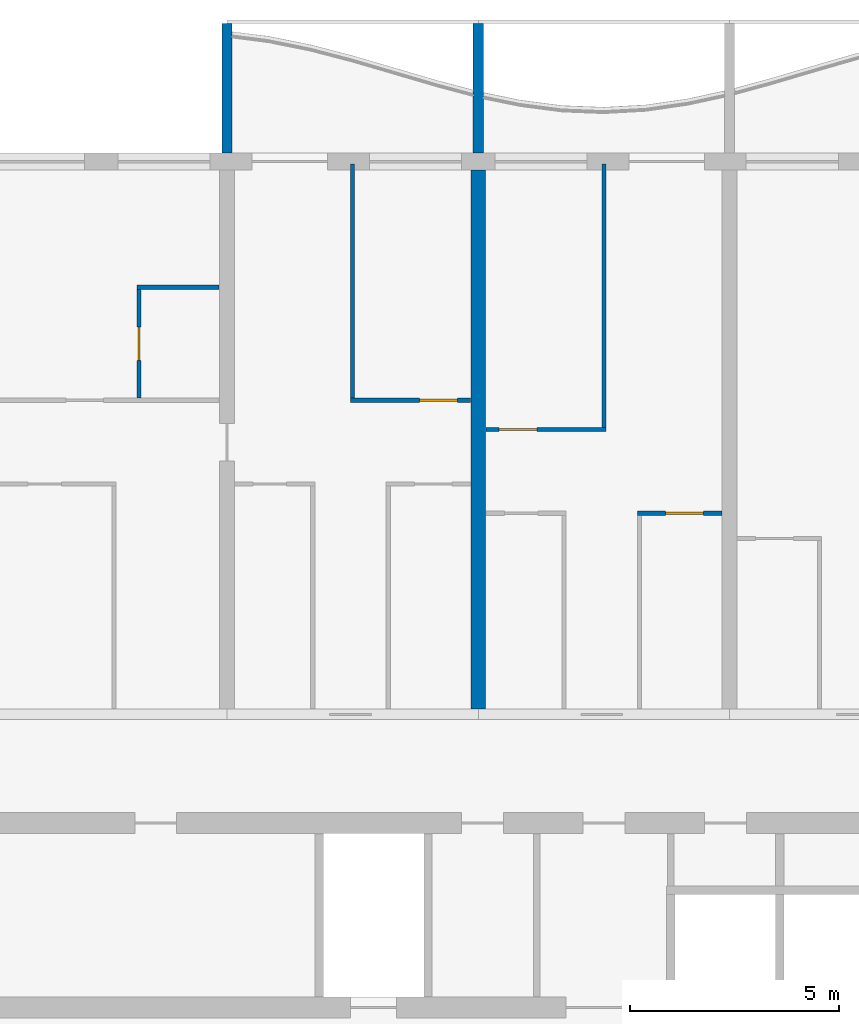
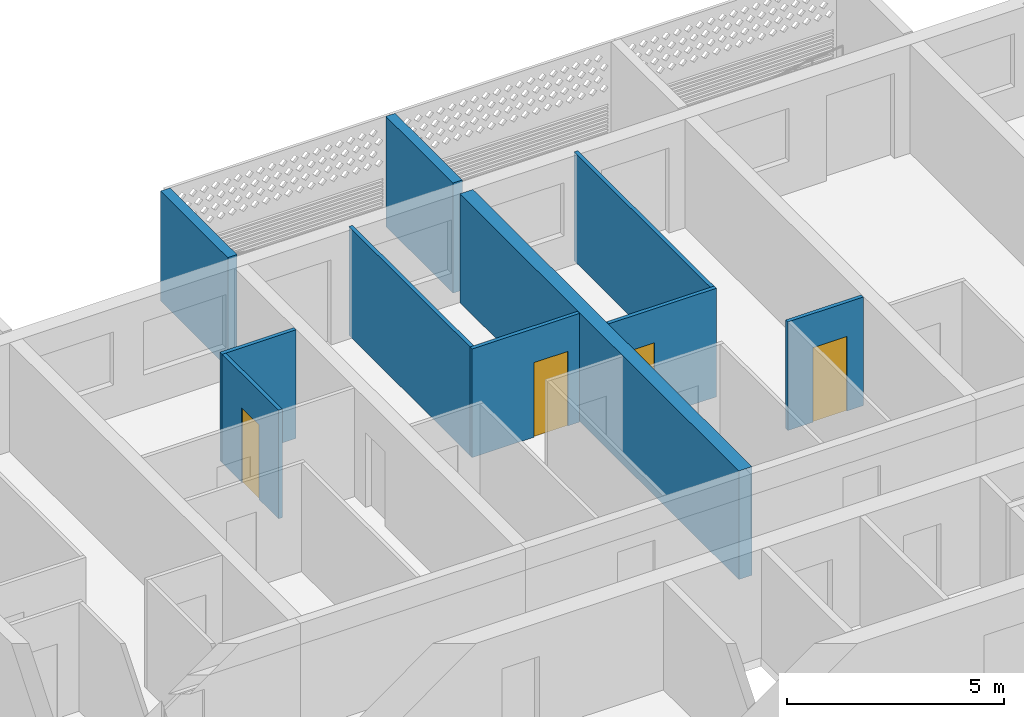
# One storey, part 11 of 27: 10 walls, 4 doors, 4 openings.
"""IFC4 building model written with IfcOpenShell, lengths in metres."""

from ifc_helpers import new_model, si_unit, direction, frame, frame_2d, origin, place, context, subcontext, project, spatial, polyline, rectangle, outline, extrude, source, transform, mapped, material, layer, layer_set, type_object, element, fill, save


model = new_model("IFC4")

# Units and contexts
model_context = context("Model", 3, precision=1e-05, world=origin(), true_north=direction((0.0, 1.0)))
body_context = subcontext(model_context, "Body", "Model", "MODEL_VIEW")
ifc_project = project(units=[si_unit("LENGTHUNIT", "METRE"), si_unit("AREAUNIT", "SQUARE_METRE"), si_unit("VOLUMEUNIT", "CUBIC_METRE"), si_unit("PLANEANGLEUNIT", "RADIAN"), si_unit("MASSUNIT", "GRAM", prefix="KILO")], contexts=[model_context])

# Site, building, storey
site_placement = place(None, origin())
site = spatial("IfcSite", under=ifc_project, at=site_placement, CompositionType="ELEMENT")
building_placement = place(site_placement, origin())
building = spatial("IfcBuilding", under=site, at=building_placement, Name="Poui Terraces", CompositionType="ELEMENT")
storey_placement = place(building_placement, frame((0.0, 0.0, 76.199951171875)))
storey = spatial("IfcBuildingStorey", under=building, at=storey_placement, Name="L20", CompositionType="ELEMENT", Elevation=76.199951171875)

# Wall
ifc_material_1 = material(Name="Concrete 65 MPa", Category="concrete")
ifc_layer_1 = layer(ifc_material_1, 0.35009765625)
ifc_layer_set_1 = layer_set([ifc_layer_1], Name="Concrete 65 MPa")
wall_type_1 = type_object("IfcWallType", Name="CROSS WALL 350 65MPa", PredefinedType="SHEAR", material=ifc_layer_set_1)
wall_1_placement = place(storey_placement, frame((48.0, 30.52490234375, 0.0), z_axis=(0.0, 0.0, 1.0), x_axis=(0.0, 1.0, 0.0)))
element("IfcWall", 1, at=wall_1_placement, inside=storey, type_object=wall_type_1, Name="CROSS WALL LINE 9 NORTH", PredefinedType="SHEAR", context=body_context, shape_type="SweptSolid", body=[
    extrude(rectangle(XDim=12.875, YDim=0.35009765625, at=frame_2d((6.4375, 0.0))), origin(), (0.0, 0.0, 1.0), 3.06005859375),
])

# Wall, opening, door
ifc_material_2 = material(Name="Plasterboard partition")
ifc_layer_2 = layer(ifc_material_2, 0.10009765625)
ifc_layer_set_2 = layer_set([ifc_layer_2], Name="Plasterboard partition")
wall_type_2 = type_object("IfcWallType", Name="FLAT PARTITION 100", PredefinedType="PARTITIONING", material=ifc_layer_set_2)
wall_2_placement = place(storey_placement, frame((51.800048828125, 35.199951171875, 0.0), z_axis=(0.0, 0.0, 1.0), x_axis=(1.0, 0.0, 0.0)))
wall_2 = element("IfcWall", 2, at=wall_2_placement, inside=storey, type_object=wall_type_2, Name="FLAT PARTITION 100", PredefinedType="PARTITIONING", context=body_context, shape_type="SweptSolid", body=[
    extrude(rectangle(XDim=2.014892578125, YDim=0.10009765625, at=frame_2d((1.00732421875, 0.0))), origin(), (0.0, 0.0, 1.0), 3.06005859375),
])
opening_1_placement = place(wall_2_placement, frame((0.675048828125, 0.0, 0.0)))
opening_1 = element("IfcOpeningElement", 3, at=opening_1_placement, cuts=wall_2, Name="Opening D90", PredefinedType="OPENING", context=body_context, shape_type="SweptSolid", body=[
    extrude(rectangle(XDim=0.89990234375, YDim=2.10009765625, at=frame_2d((0.449951171875, 1.050048828125))), frame((0.0, 0.06005859375, 0.0), z_axis=(0.0, -1.0, 0.0), x_axis=(1.0, 0.0, 0.0)), (0.0, 0.0, 1.0), 0.1201171875),
])
ifc_material_3 = material(Name="Solid core timber door", Category="wood")
door_type_1 = type_object("IfcDoorType", Name="INTERNAL DOOR 900 X 2100", OperationType="NOTDEFINED", PredefinedType="DOOR", material=ifc_material_3)
door_1_placement = place(opening_1_placement, frame((0.89990234375, 0.0, 0.0), z_axis=(0.0, 0.0, 1.0), x_axis=(-1.0, 0.0, 0.0)))
door_1 = element("IfcDoor", 4, at=door_1_placement, inside=storey, type_object=door_type_1, Name="INTERNAL DOOR 060", OperationType="SINGLE_SWING_LEFT", OverallHeight=2.10009765625, OverallWidth=0.89990234375, PredefinedType="DOOR", context=body_context, shape_type="SweptSolid", body=[
    extrude(rectangle(XDim=0.89990234375, YDim=2.10009765625, at=frame_2d((0.449951171875, 1.050048828125))), frame((0.0, 0.02490234375, 0.0), z_axis=(0.0, -1.0, 0.0), x_axis=(1.0, 0.0, 0.0)), (0.0, 0.0, 1.0), 0.050048828125),
])
fill(opening_1, door_1)

wall_3_placement = place(storey_placement, frame((48.18505859375, 37.199951171875, 0.0), z_axis=(0.0, 0.0, 1.0), x_axis=(1.0, 0.0, 0.0)))
wall_3 = element("IfcWall", 5, at=wall_3_placement, inside=storey, type_object=wall_type_2, Name="FLAT PARTITION 100", PredefinedType="PARTITIONING", context=body_context, shape_type="SweptSolid", body=[
    extrude(rectangle(XDim=2.864990234375, YDim=0.10009765625, at=frame_2d((1.4326171875, 0.0))), origin(), (0.0, 0.0, 1.0), 3.06005859375),
])
opening_2_placement = place(wall_3_placement, frame((0.31494140625, 0.0, 0.0)))
opening_2 = element("IfcOpeningElement", 6, at=opening_2_placement, cuts=wall_3, Name="Opening D90", PredefinedType="OPENING", context=body_context, shape_type="SweptSolid", body=[
    extrude(rectangle(XDim=0.89990234375, YDim=2.10009765625, at=frame_2d((0.449951171875, 1.050048828125))), frame((0.0, 0.06005859375, 0.0), z_axis=(0.0, -1.0, 0.0), x_axis=(1.0, 0.0, 0.0)), (0.0, 0.0, 1.0), 0.1201171875),
])
door_2_placement = place(opening_2_placement, frame((0.89990234375, 0.0, 0.0), z_axis=(0.0, 0.0, 1.0), x_axis=(-1.0, 0.0, 0.0)))
door_2 = element("IfcDoor", 7, at=door_2_placement, inside=storey, type_object=door_type_1, Name="INTERNAL DOOR 057", OperationType="SINGLE_SWING_LEFT", OverallHeight=2.10009765625, OverallWidth=0.89990234375, PredefinedType="DOOR", context=body_context, shape_type="SweptSolid", body=[
    extrude(rectangle(XDim=0.89990234375, YDim=2.10009765625, at=frame_2d((0.449951171875, 1.050048828125))), frame((0.0, 0.02490234375, 0.0), z_axis=(0.0, -1.0, 0.0), x_axis=(1.0, 0.0, 0.0)), (0.0, 0.0, 1.0), 0.050048828125),
])
fill(opening_2, door_2)

wall_4_placement = place(storey_placement, frame((44.949951171875, 37.89990234375, 0.0), z_axis=(0.0, 0.0, 1.0), x_axis=(1.0, 0.0, 0.0)))
wall_4 = element("IfcWall", 8, at=wall_4_placement, inside=storey, type_object=wall_type_2, Name="FLAT PARTITION 100", PredefinedType="PARTITIONING", context=body_context, shape_type="SweptSolid", body=[
    extrude(rectangle(XDim=2.864990234375, YDim=0.10009765625, at=frame_2d((1.4326171875, 0.0))), origin(), (0.0, 0.0, 1.0), 3.06005859375),
])
opening_3_placement = place(wall_4_placement, frame((1.64990234375, 0.0, 0.0)))
opening_3 = element("IfcOpeningElement", 9, at=opening_3_placement, cuts=wall_4, Name="Opening D90", PredefinedType="OPENING", context=body_context, shape_type="SweptSolid", body=[
    extrude(rectangle(XDim=0.89990234375, YDim=2.10009765625, at=frame_2d((0.449951171875, 1.050048828125))), frame((0.0, 0.06005859375, 0.0), z_axis=(0.0, -1.0, 0.0), x_axis=(1.0, 0.0, 0.0)), (0.0, 0.0, 1.0), 0.1201171875),
])
door_3_placement = place(opening_3_placement, origin())
door_3 = element("IfcDoor", 10, at=door_3_placement, inside=storey, type_object=door_type_1, Name="INTERNAL DOOR 055", OperationType="SINGLE_SWING_RIGHT", OverallHeight=2.10009765625, OverallWidth=0.89990234375, PredefinedType="DOOR", context=body_context, shape_type="SweptSolid", body=[
    extrude(rectangle(XDim=0.89990234375, YDim=2.10009765625, at=frame_2d((0.449951171875, 1.050048828125))), frame((0.0, 0.02490234375, 0.0), z_axis=(0.0, -1.0, 0.0), x_axis=(1.0, 0.0, 0.0)), (0.0, 0.0, 1.0), 0.050048828125),
])
fill(opening_3, door_3)

# Wall
wall_5_placement = place(storey_placement, frame((39.85009765625, 40.60009765625, 0.0), z_axis=(0.0, 0.0, 1.0), x_axis=(1.0, 0.0, 0.0)))
element("IfcWall", 11, at=wall_5_placement, inside=storey, type_object=wall_type_2, Name="FLAT PARTITION 100", PredefinedType="PARTITIONING", context=body_context, shape_type="SweptSolid", body=[
    extrude(rectangle(XDim=1.96484375, YDim=0.10009765625, at=frame_2d((0.982421875, 0.0))), origin(), (0.0, 0.0, 1.0), 3.06005859375),
])

# Wall, opening, door
wall_6_placement = place(storey_placement, frame((39.89990234375, 37.949951171875, 0.0), z_axis=(0.0, 0.0, 1.0), x_axis=(0.0, 1.0, 0.0)))
wall_6 = element("IfcWall", 12, at=wall_6_placement, inside=storey, type_object=wall_type_2, Name="FLAT PARTITION 100", PredefinedType="PARTITIONING", context=body_context, shape_type="SweptSolid", body=[
    extrude(rectangle(XDim=2.60009765625, YDim=0.10009765625, at=frame_2d((1.300048828125, 0.0))), origin(), (0.0, 0.0, 1.0), 3.06005859375),
])
opening_4_placement = place(wall_6_placement, frame((0.89990234375, 0.0, 0.0)))
opening_4 = element("IfcOpeningElement", 13, at=opening_4_placement, cuts=wall_6, Name="Opening D80", PredefinedType="OPENING", context=body_context, shape_type="SweptSolid", body=[
    extrude(rectangle(XDim=0.800048828125, YDim=2.10009765625, at=frame_2d((0.39990234375, 1.050048828125))), frame((0.0, 0.06005859375, 0.0), z_axis=(0.0, -1.0, 0.0), x_axis=(1.0, 0.0, 0.0)), (0.0, 0.0, 1.0), 0.1201171875),
])
door_type_2 = type_object("IfcDoorType", Name="BATHROOM, LAUNDRY AND STORE DOOR 800 X 2100", OperationType="NOTDEFINED", PredefinedType="DOOR", material=ifc_material_3)
door_4_placement = place(opening_4_placement, frame((0.800048828125, 0.0, 0.0), z_axis=(0.0, 0.0, 1.0), x_axis=(-1.0, 0.0, 0.0)))
door_4 = element("IfcDoor", 14, at=door_4_placement, inside=storey, type_object=door_type_2, Name="BATHROOM, LAUNDRY AND STORE DOOR 056", OperationType="SINGLE_SWING_LEFT", OverallHeight=2.10009765625, OverallWidth=0.800048828125, PredefinedType="DOOR", context=body_context, shape_type="SweptSolid", body=[
    extrude(rectangle(XDim=0.800048828125, YDim=2.10009765625, at=frame_2d((0.39990234375, 1.050048828125))), frame((0.0, 0.02490234375, 0.0), z_axis=(0.0, -1.0, 0.0), x_axis=(1.0, 0.0, 0.0)), (0.0, 0.0, 1.0), 0.050048828125),
])
fill(opening_4, door_4)

# Walls
wall_7_placement = place(storey_placement, frame((45.0, 37.949951171875, 0.0), z_axis=(0.0, 0.0, 1.0), x_axis=(0.0, 1.0, 0.0)))
element("IfcWall", 15, at=wall_7_placement, inside=storey, type_object=wall_type_2, Name="FLAT PARTITION 100", PredefinedType="PARTITIONING", context=body_context, shape_type="SweptSolid", body=[
    extrude(rectangle(XDim=5.590087890625, YDim=0.10009765625, at=frame_2d((2.794921875, 0.0))), origin(), (0.0, 0.0, 1.0), 3.06005859375),
])
wall_8_placement = place(storey_placement, frame((51.0, 37.25, 0.0), z_axis=(0.0, 0.0, 1.0), x_axis=(0.0, 1.0, 0.0)))
element("IfcWall", 16, at=wall_8_placement, inside=storey, type_object=wall_type_2, Name="FLAT PARTITION 100", PredefinedType="PARTITIONING", context=body_context, shape_type="SweptSolid", body=[
    extrude(rectangle(XDim=6.2900390625, YDim=0.10009765625, at=frame_2d((3.14501953125, 0.0))), origin(), (0.0, 0.0, 1.0), 3.06005859375),
])
ifc_material_4 = material(Name="Precast concrete 40 MPa", Category="concrete")
ifc_layer_3 = layer(ifc_material_4, 0.25)
ifc_layer_set_3 = layer_set([ifc_layer_3], Name="Precast concrete 40 MPa")
wall_type_3 = type_object("IfcWallType", Name="BALCONY FIN 250", PredefinedType="STANDARD", material=ifc_layer_set_3)
shared_shape = source(origin(), body_context, "Body", "SweptSolid", [
    extrude(outline(polyline([(0.0, 0.0), (0.25, 0.0), (0.25, 3.099853515625), (0.0, 3.099853515625), (0.0, 0.0)])), origin(), (0.0, 0.0, 1.0), 3.10009765625),
])
for number, where, name in (
    (17, (41.875, 43.800048828125, 0.0), "BALCONY FIN"),
    (18, (47.875, 43.800048828125, 0.0), "BALCONY FIN"),
):
    element("IfcWall", number, at=place(storey_placement, frame(where)), inside=storey, type_object=wall_type_3, Name=name, PredefinedType="STANDARD", context=body_context, shape_type="MappedRepresentation", body=[
        mapped(shared_shape, transform((0.0, 0.0, 0.0))),
    ])

save(model, "model.ifc")
